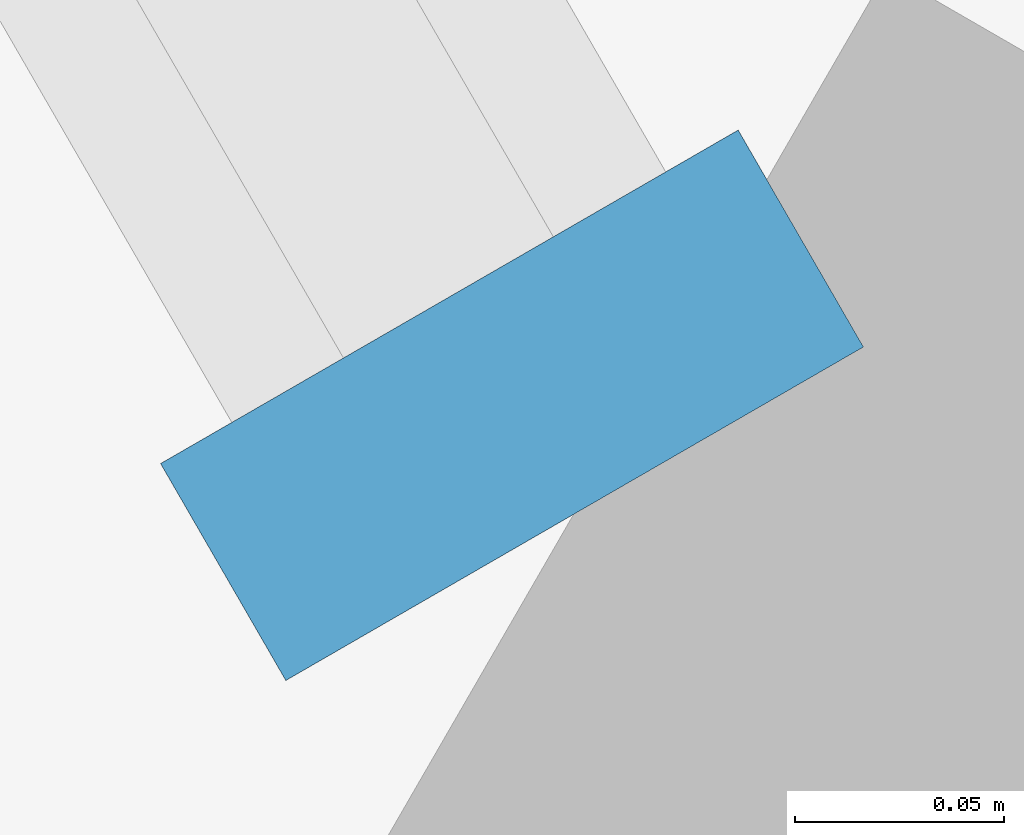
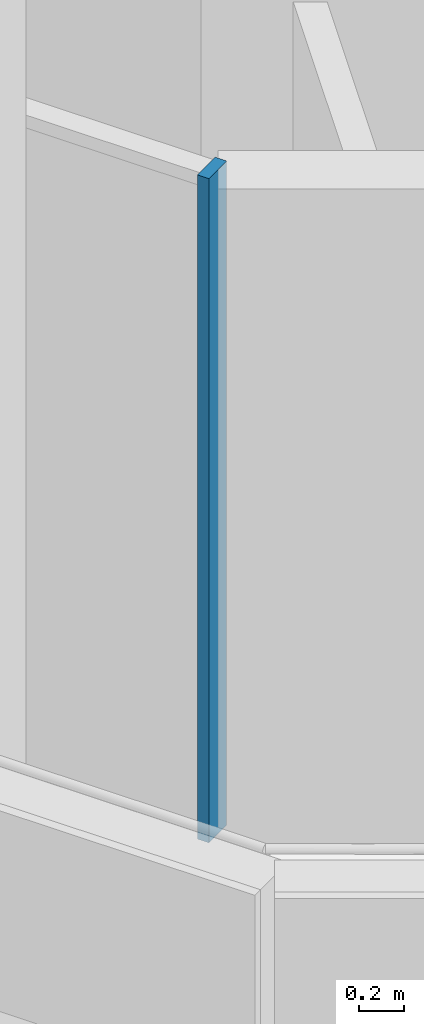
# One storey, part 7 of 127: 1 member, 1 element without a shape of its own.
"""IFC4 building model written with IfcOpenShell, lengths in metres."""

import ifcopenshell
import ifcopenshell.guid

model = None  # the IFC model being written
_history = None  # IfcOwnerHistory: only IFC2X3 demands one
_inside = {}  # id of a spatial element -> (the spatial element, [elements in it])
_under = {}  # id of a project, library or spatial element -> (it, [spatial elements below it])
_declared = {}  # id of a project -> (the project, [libraries it declares])
_typed = {}  # id of a type object -> (the type object, [elements of that type])
_made_of = {}  # id of a material, layer set ... -> (it, [elements and type objects made of it])


def new_model(schema):
    """Start an empty IFC model of exactly this schema.

    Asked for "IFC4X3", IfcOpenShell would pick the latest addendum, in which some entities
    have other attributes; the version numbers below select the first issue.
    IFC2X3 requires an IfcOwnerHistory on every rooted entity: one is made here for all.
    """
    global model, _history
    if schema == "IFC4X3":
        model = ifcopenshell.file(schema_version=(4, 3, 0, 0))
    else:
        model = ifcopenshell.file(schema=schema)
    _inside.clear()
    _under.clear()
    _declared.clear()
    _typed.clear()
    _made_of.clear()
    _history = None
    if model.schema == "IFC2X3":
        org = make("IfcOrganization", Name="unknown")
        user = make(
            "IfcPersonAndOrganization",
            ThePerson=make("IfcPerson", FamilyName="unknown"),
            TheOrganization=org,
        )
        app = make(
            "IfcApplication",
            ApplicationDeveloper=org,
            Version="unknown",
            ApplicationFullName="unknown",
            ApplicationIdentifier="unknown",
        )
        _history = make(
            "IfcOwnerHistory",
            OwningUser=user,
            OwningApplication=app,
            ChangeAction="ADDED",
            CreationDate=0,
        )
    return model


def make(cls, **values):
    """One entity of the class cls with the attributes given. An attribute that is None is left unset."""
    return model.create_entity(
        cls, **{name: value for name, value in values.items() if value is not None}
    )


def rooted(cls, **values):
    """An entity with a GlobalId (a new one), such as an element, a storey or a relation."""
    return make(cls, GlobalId=ifcopenshell.guid.new(), OwnerHistory=_history, **values)


def si_unit(unit_type, name, prefix=None):
    """IfcSIUnit, for example si_unit("LENGTHUNIT", "METRE", prefix="MILLI")."""
    return make("IfcSIUnit", UnitType=unit_type, Prefix=prefix, Name=name)


def assignment(units):
    """IfcUnitAssignment: the units of a project."""
    return None if units is None else make("IfcUnitAssignment", Units=units)


def point(xyz):
    """IfcCartesianPoint."""
    return None if xyz is None else make("IfcCartesianPoint", Coordinates=xyz)


def direction(xyz):
    """IfcDirection."""
    return None if xyz is None else make("IfcDirection", DirectionRatios=xyz)


def frame(location, z_axis=None, x_axis=None):
    """IfcAxis2Placement3D, a coordinate frame: its origin and axes. An axis left out is left unset."""
    return make(
        "IfcAxis2Placement3D",
        Location=point(location),
        Axis=direction(z_axis),
        RefDirection=direction(x_axis),
    )


def frame_2d(location, x_axis=None):
    """IfcAxis2Placement2D, a coordinate frame in the plane: its origin and x axis."""
    return make(
        "IfcAxis2Placement2D", Location=point(location), RefDirection=direction(x_axis)
    )


def origin():
    """The frame at (0, 0, 0) with its axes left unset."""
    return frame((0.0, 0.0, 0.0))


def origin_2d():
    """The frame at (0, 0) in the plane with its x axis left unset."""
    return frame_2d((0.0, 0.0))


def place(relative_to, where):
    """IfcLocalPlacement: puts the frame where relative to a parent placement (None: the world)."""
    return make(
        "IfcLocalPlacement", PlacementRelTo=relative_to, RelativePlacement=where
    )


def context(
    kind, dimensions, precision=None, world=None, true_north=None, identifier=None
):
    """IfcGeometricRepresentationContext, for example the 3D "Model" context."""
    return make(
        "IfcGeometricRepresentationContext",
        ContextIdentifier=identifier,
        ContextType=kind,
        CoordinateSpaceDimension=dimensions,
        Precision=precision,
        WorldCoordinateSystem=world,
        TrueNorth=true_north,
    )


def subcontext(parent, identifier, kind, view, scale=None):
    """IfcGeometricRepresentationSubContext, for example "Body" below "Model"."""
    return make(
        "IfcGeometricRepresentationSubContext",
        ContextIdentifier=identifier,
        ContextType=kind,
        ParentContext=parent,
        TargetScale=scale,
        TargetView=view,
    )


def project(units=None, contexts=None):
    """IfcProject with its units and contexts."""
    return rooted(
        "IfcProject",
        Name="project",
        RepresentationContexts=contexts,
        UnitsInContext=assignment(units),
    )


def spatial(cls, under=None, at=None, **own):
    """A site, building, storey or space (cls), placed at a placement, below another one or the project."""
    s = rooted(cls, ObjectPlacement=at, **own)
    if under is not None:
        _under.setdefault(under.id(), (under, []))[1].append(s)
    return s


def profile(cls, at=None, kind="AREA", **sizes):
    """A parametric profile (cls). Its sizes go by their IFC names, for example OverallWidth=200.0."""
    return make(cls, ProfileType=kind, Position=at, **sizes)


def rectangle(**sizes):
    """IfcRectangleProfileDef."""
    return profile("IfcRectangleProfileDef", **sizes)


def extrude(swept, where, along, depth):
    """IfcExtrudedAreaSolid: the profile swept, set in the frame where, extruded along a direction by depth."""
    return make(
        "IfcExtrudedAreaSolid",
        SweptArea=swept,
        Position=where,
        ExtrudedDirection=direction(along),
        Depth=depth,
    )


def shape(context_of_items, identifier, shape_type, items):
    """IfcShapeRepresentation: the items that make up one representation, for example the "Body"."""
    return make(
        "IfcShapeRepresentation",
        ContextOfItems=context_of_items,
        RepresentationIdentifier=identifier,
        RepresentationType=shape_type,
        Items=items,
    )


def material(Name=None, Category=None):
    """IfcMaterial."""
    return make("IfcMaterial", Name=Name, Category=Category)


def material_profile(
    of_material, cross_section, Name=None, Category=None, Priority=None
):
    """IfcMaterialProfile: a cross section and its material."""
    return make(
        "IfcMaterialProfile",
        Name=Name,
        Material=of_material,
        Profile=cross_section,
        Priority=Priority,
        Category=Category,
    )


def profile_set(profiles, Name=None, composite=None):
    """IfcMaterialProfileSet."""
    return make(
        "IfcMaterialProfileSet",
        Name=Name,
        MaterialProfiles=profiles,
        CompositeProfile=composite,
    )


def made_of(thing, what):
    """Note that an element or type object is made of a material, layer set ...; save() writes the relation."""
    if what is not None:
        _made_of.setdefault(what.id(), (what, []))[1].append(thing)
    return thing


def type_object(cls, material=None, **own):
    """A type object (cls), such as IfcWallType, which elements share."""
    return made_of(rooted(cls, **own), material)


def element(
    cls,
    number,
    at=None,
    inside=None,
    cuts=None,
    type_object=None,
    material=None,
    context=None,
    identifier="Body",
    shape_type=None,
    held_by="IfcProductDefinitionShape",
    body=None,
    shapes=None,
    **own,
):
    """One element of the class cls, such as IfcWall. Its Tag is "e" and its number.

    at: its placement. inside: the storey or other place that contains it. cuts: it is an
    opening in that element (IfcRelVoidsElement). A single representation is given by context,
    identifier, shape_type and body (its items); several are given by shapes. held_by: the class
    of the entity that holds the representations. save() writes the other relations.
    """
    e = rooted(cls, Tag="e%d" % number, ObjectPlacement=at, **own)
    if body is not None:
        shapes = [shape(context, identifier, shape_type, body)]
    if shapes is not None:
        e.Representation = make(held_by, Representations=shapes)
    if inside is not None:
        _inside.setdefault(inside.id(), (inside, []))[1].append(e)
    if cuts is not None:
        rooted(
            "IfcRelVoidsElement", RelatingBuildingElement=cuts, RelatedOpeningElement=e
        )
    if type_object is not None:
        _typed.setdefault(type_object.id(), (type_object, []))[1].append(e)
    return made_of(e, material)


def aggregate(whole, parts):
    """IfcRelAggregates: a whole, such as a stair, and the parts it consists of."""
    return rooted("IfcRelAggregates", RelatingObject=whole, RelatedObjects=parts)


def save(model, path):
    """Write the relations noted so far, then the file.

    IfcRelAggregates (storeys below a building ...), IfcRelContainedInSpatialStructure (elements
    in a storey), IfcRelDefinesByType, IfcRelAssociatesMaterial and IfcRelDeclares: one each for
    every whole, place, type object, material and project.
    """
    for whole, parts in _under.values():
        aggregate(whole, parts)
    for where, things in _inside.values():
        rooted(
            "IfcRelContainedInSpatialStructure",
            RelatedElements=things,
            RelatingStructure=where,
        )
    for kind, things in _typed.values():
        rooted("IfcRelDefinesByType", RelatedObjects=things, RelatingType=kind)
    for what, things in _made_of.values():
        rooted("IfcRelAssociatesMaterial", RelatedObjects=things, RelatingMaterial=what)
    for by, libraries in _declared.values():
        rooted("IfcRelDeclares", RelatingContext=by, RelatedDefinitions=libraries)
    model.write(path)


model = new_model("IFC4")

# Units and contexts
model_context = context("Model", 3, precision=1e-05, world=origin(), true_north=direction((0.0, 1.0)))
body_context = subcontext(model_context, "Body", "Model", "MODEL_VIEW")
ifc_project = project(units=[si_unit("LENGTHUNIT", "METRE"), si_unit("AREAUNIT", "SQUARE_METRE"), si_unit("VOLUMEUNIT", "CUBIC_METRE"), si_unit("PLANEANGLEUNIT", "RADIAN"), si_unit("MASSUNIT", "GRAM", prefix="KILO")], contexts=[model_context])

# Site, building, storey
site_placement = place(None, origin())
site = spatial("IfcSite", under=ifc_project, at=site_placement, CompositionType="ELEMENT")
building_placement = place(site_placement, origin())
building = spatial("IfcBuilding", under=site, at=building_placement, Name="Sandreach Pilgrim Tower", CompositionType="ELEMENT")
storey_placement = place(building_placement, frame((0.0, 0.0, 257.0)))
storey = spatial("IfcBuildingStorey", under=building, at=storey_placement, Name="L64", CompositionType="ELEMENT", Elevation=257.0)

# Curtain wall, member
ifc_material_1 = material(Name="Aluminium framed curtain wall", Category="aluminium")
curtain_wall_type = type_object("IfcCurtainWallType", Name="Suite tower curtain wall", PredefinedType="NOTDEFINED", material=ifc_material_1)
curtain_wall_placement = place(storey_placement, origin())
curtain_wall = element("IfcCurtainWall", 1, at=curtain_wall_placement, inside=storey, type_object=curtain_wall_type, Name="CW-4 L64 SW", PredefinedType="NOTDEFINED")
ifc_material_2 = material(Name="Aluminium extrusion", Category="aluminium")
ifc_material_profile = material_profile(ifc_material_2, rectangle(XDim=0.06005859375, YDim=0.159912109375, at=origin_2d()), Name="CW-4M 60X160")
ifc_profile_set = profile_set([ifc_material_profile], Name="Aluminium extrusion")
member_type = type_object("IfcMemberType", Name="CW-4 mullion", PredefinedType="MULLION", material=ifc_profile_set)
member_placement = place(storey_placement, frame((-9.035888671875, -24.001953125, 0.0), z_axis=(0.0, 0.0, 1.0), x_axis=(-0.5, 0.866025403784, 0.0)))
member = element("IfcMember", 2, at=member_placement, type_object=member_type, Name="CW-4 mullion 1", PredefinedType="MULLION", context=body_context, shape_type="SweptSolid", body=[
    extrude(rectangle(XDim=0.06005859375, YDim=0.159912109375, at=origin_2d()), origin(), (0.0, 0.0, 1.0), 3.639892578125),
])
aggregate(curtain_wall, [member])

save(model, "model.ifc")
